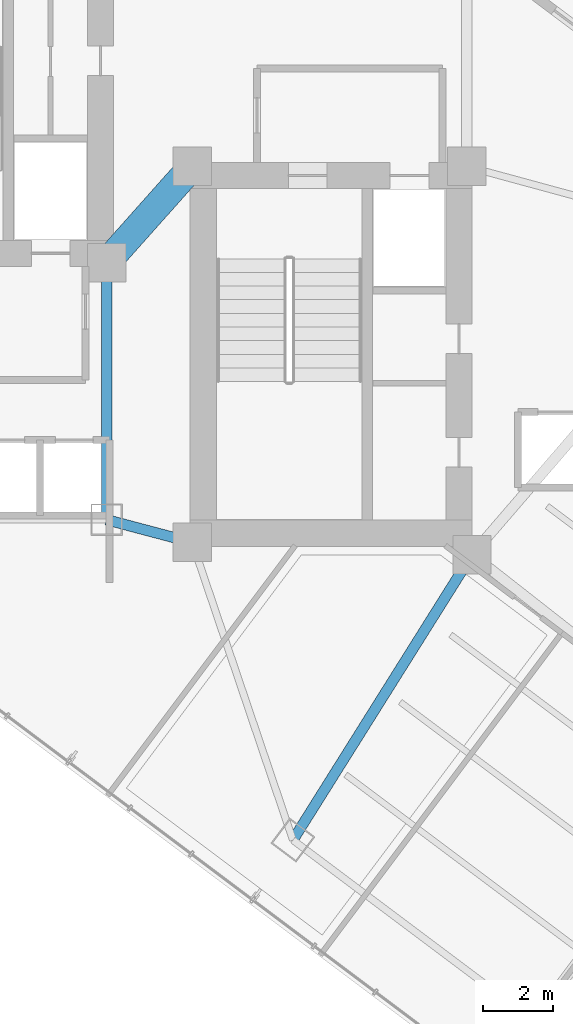
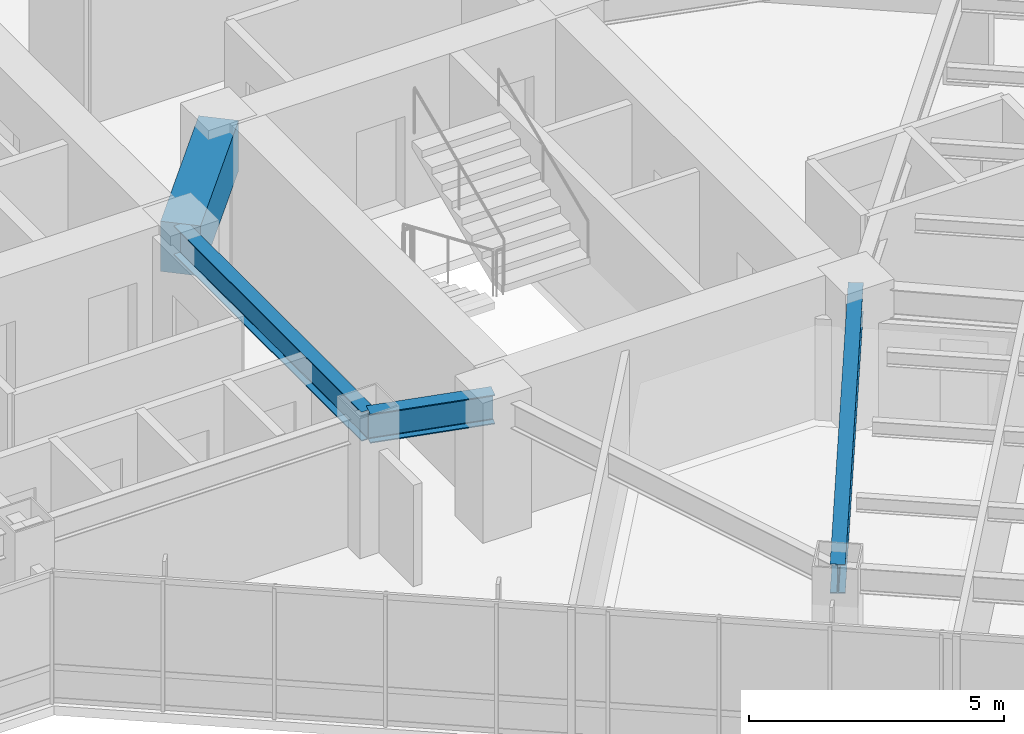
# One storey, part 10 of 36: 4 beams.
"""IFC4 building model written with IfcOpenShell, lengths in metres."""

from ifc_helpers import new_model, si_unit, direction, frame, origin, origin_2d, place, context, subcontext, project, spatial, rectangle, i_section, extrude, material, material_profile, profile_set, type_object, element, save


model = new_model("IFC4")

# Units and contexts
model_context = context("Model", 3, precision=1e-05, world=origin(), true_north=direction((0.0, 1.0)))
body_context = subcontext(model_context, "Body", "Model", "MODEL_VIEW")
ifc_project = project(units=[si_unit("LENGTHUNIT", "METRE"), si_unit("AREAUNIT", "SQUARE_METRE"), si_unit("VOLUMEUNIT", "CUBIC_METRE"), si_unit("PLANEANGLEUNIT", "RADIAN"), si_unit("MASSUNIT", "GRAM", prefix="KILO")], contexts=[model_context])

# Site, building, storey
site_placement = place(None, origin())
site = spatial("IfcSite", under=ifc_project, at=site_placement, CompositionType="ELEMENT")
building_placement = place(site_placement, origin())
building = spatial("IfcBuilding", under=site, at=building_placement, Name="Hatsunagi Terrace Concourse", CompositionType="ELEMENT")
storey_placement = place(building_placement, frame((0.0, 0.0, 84.64990234375)))
storey = spatial("IfcBuildingStorey", under=building, at=storey_placement, Name="L22", CompositionType="ELEMENT", Elevation=84.64990234375)

# Beams
ifc_material_1 = material(Name="Concrete Fc60", Category="concrete")
ifc_material_profile_1 = material_profile(ifc_material_1, rectangle(XDim=0.800048828125, YDim=1.199951171875, at=origin_2d()), Name="RC-800x1200")
ifc_profile_set_1 = profile_set([ifc_material_profile_1], Name="Concrete Fc60")
beam_type_1 = type_object("IfcBeamType", Name="CoreCouplingBeam_RC_800x1200", PredefinedType="BEAM", material=ifc_profile_set_1)
beam_1_placement = place(storey_placement, frame((33.35009765625, 32.550048828125, 2.530029296875), z_axis=(0.665198651008, 0.746666427997, 0.0), x_axis=(-0.746666427997, 0.665198651008, 0.0)))
element("IfcBeam", 1, at=beam_1_placement, inside=storey, type_object=beam_type_1, Name="Beam CB-01 CB-L22-1", PredefinedType="BEAM", context=body_context, shape_type="SweptSolid", body=[
    extrude(rectangle(XDim=0.800048828125, YDim=1.199951171875, at=origin_2d()), origin(), (0.0, 0.0, 1.0), 3.68310546875),
])
ifc_material_2 = material(Name="Steel SN490B", Category="steel")
ifc_material_profile_2 = material_profile(ifc_material_2, i_section(OverallWidth=0.300048828125, OverallDepth=0.699951171875, WebThickness=0.012939453125, FlangeThickness=0.02392578125, FilletRadius=0.02197265625, at=origin_2d()), Name="H-700x300x13x24")
ifc_profile_set_2 = profile_set([ifc_material_profile_2], Name="Steel SN490B")
beam_type_2 = type_object("IfcBeamType", Name="HotelFloorGirder_H_700x300", PredefinedType="BEAM", material=ifc_profile_set_2)
beam_2_placement = place(storey_placement, frame((33.35009765625, 25.199951171875, 2.780029296875), z_axis=(0.0, 1.0, 0.0), x_axis=(-1.0, 0.0, 0.0)))
element("IfcBeam", 2, at=beam_2_placement, inside=storey, type_object=beam_type_2, Name="Beam G-04 BM-L22-K2CA", PredefinedType="BEAM", context=body_context, shape_type="SweptSolid", body=[
    extrude(i_section(OverallWidth=0.300048828125, OverallDepth=0.699951171875, WebThickness=0.012939453125, FlangeThickness=0.02392578125, FilletRadius=0.02197265625, at=origin_2d()), origin(), (0.0, 0.0, 1.0), 7.35009765625),
])
beam_3_placement = place(storey_placement, frame((33.35009765625, 25.199951171875, 2.780029296875), z_axis=(0.966569840116, -0.256403479262, 0.0), x_axis=(0.256403479262, 0.966569840116, 0.0)))
element("IfcBeam", 3, at=beam_3_placement, inside=storey, type_object=beam_type_2, Name="Beam G-04 BM-L22-K2CB", PredefinedType="BEAM", context=body_context, shape_type="SweptSolid", body=[
    extrude(i_section(OverallWidth=0.300048828125, OverallDepth=0.699951171875, WebThickness=0.012939453125, FlangeThickness=0.02392578125, FilletRadius=0.02197265625, at=origin_2d()), origin(), (0.0, 0.0, 1.0), 2.53466796875),
])
beam_4_placement = place(storey_placement, frame((38.679931640625, 16.0400390625, 2.780029296875), z_axis=(0.531503907049, 0.847055840421, 0.0), x_axis=(-0.847055840421, 0.531503907049, 0.0)))
element("IfcBeam", 4, at=beam_4_placement, inside=storey, type_object=beam_type_2, Name="Beam G-04 BM-L22-SET-1A", PredefinedType="BEAM", context=body_context, shape_type="SweptSolid", body=[
    extrude(i_section(OverallWidth=0.300048828125, OverallDepth=0.699951171875, WebThickness=0.012939453125, FlangeThickness=0.02392578125, FilletRadius=0.02197265625, at=origin_2d()), origin(), (0.0, 0.0, 1.0), 9.63330078125),
])

save(model, "model.ifc")
